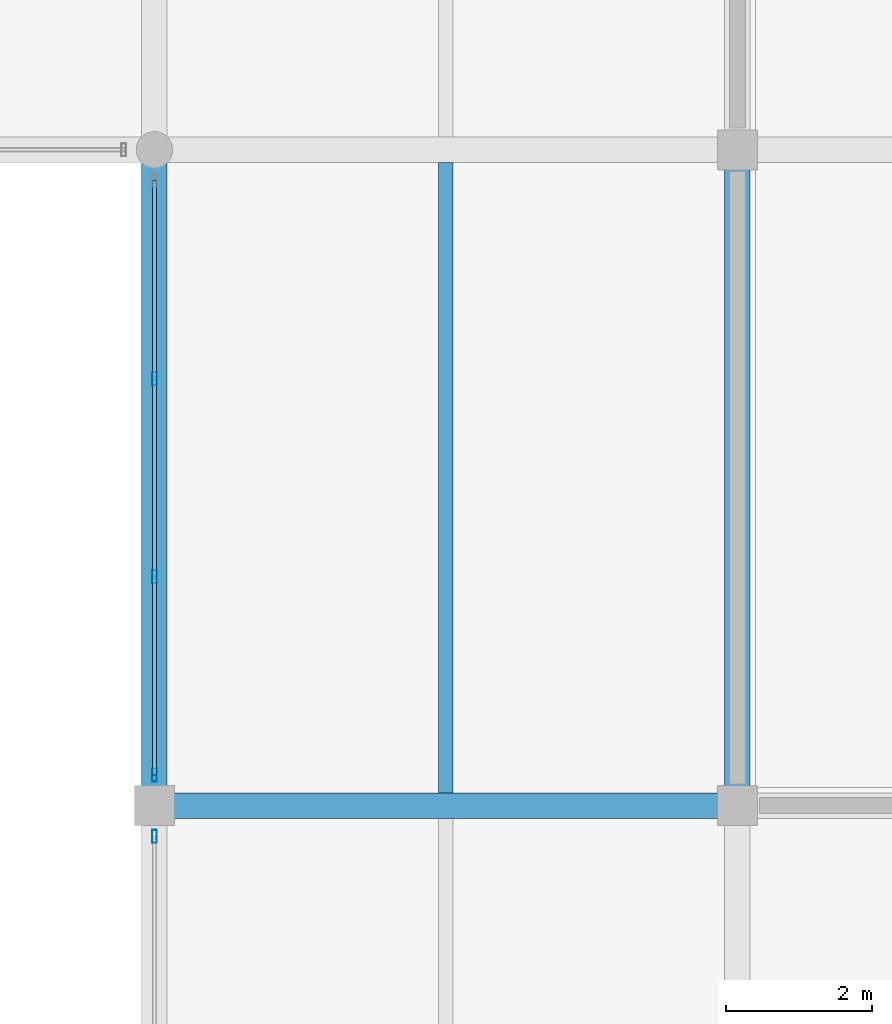
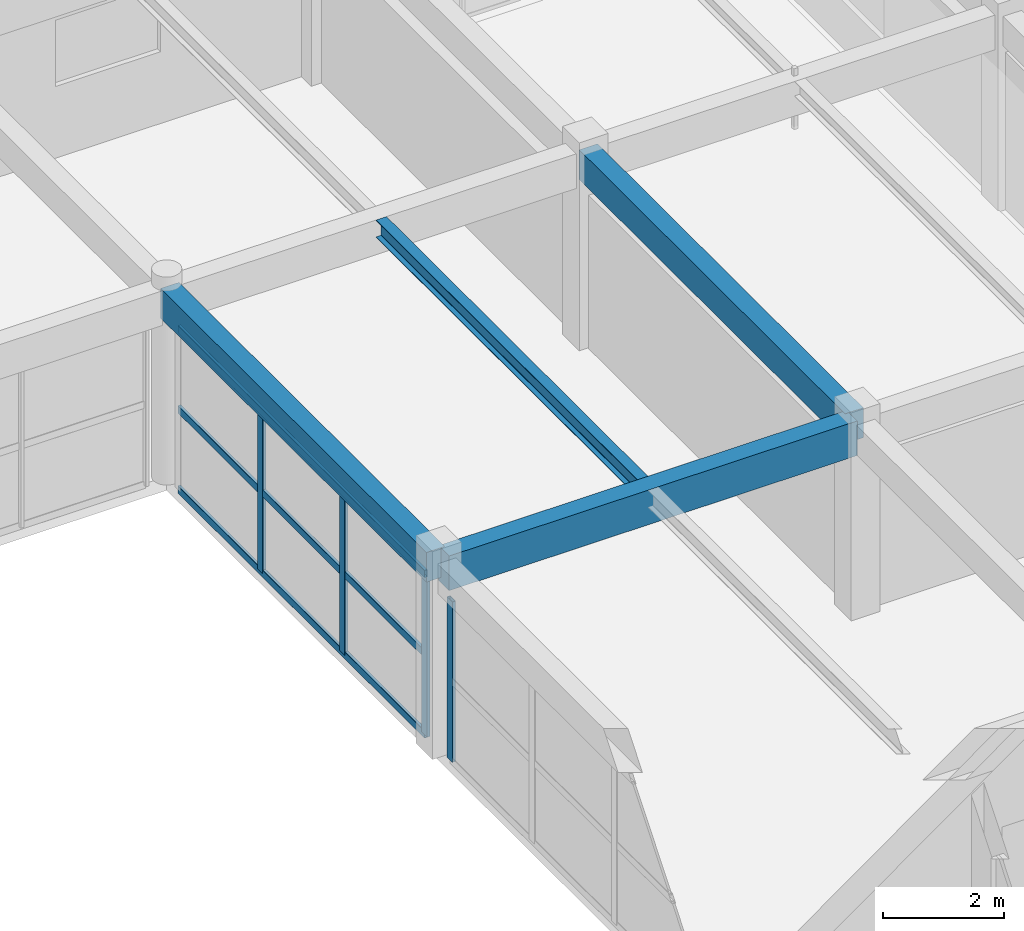
# One storey, part 21 of 63: 7 members, 4 beams, 2 elements without a shape of their own.
"""IFC4 building model written with IfcOpenShell, lengths in metres."""

from ifc_helpers import new_model, si_unit, direction, frame, origin, origin_2d, place, context, subcontext, project, spatial, rectangle, hollow_rectangle, i_section, extrude, material, material_profile, profile_set, type_object, element, aggregate, save


model = new_model("IFC4")

# Units and contexts
model_context = context("Model", 3, precision=1e-05, world=origin(), true_north=direction((0.0, 1.0)))
body_context = subcontext(model_context, "Body", "Model", "MODEL_VIEW")
ifc_project = project(units=[si_unit("LENGTHUNIT", "METRE"), si_unit("AREAUNIT", "SQUARE_METRE"), si_unit("VOLUMEUNIT", "CUBIC_METRE"), si_unit("PLANEANGLEUNIT", "RADIAN"), si_unit("MASSUNIT", "GRAM", prefix="KILO")], contexts=[model_context])

# Site, building, storey
site_placement = place(None, origin())
site = spatial("IfcSite", under=ifc_project, at=site_placement, CompositionType="ELEMENT")
building_placement = place(site_placement, origin())
building = spatial("IfcBuilding", under=site, at=building_placement, Name="Varnabhumi Central Station", CompositionType="ELEMENT")
storey_placement = place(building_placement, frame((0.0, 0.0, 20.39990234375)))
storey = spatial("IfcBuildingStorey", under=building, at=storey_placement, Name="L04", CompositionType="ELEMENT", Elevation=20.39990234375)

# Beams
ifc_material_1 = material(Name="Concrete M40", Category="concrete")
ifc_material_profile_1 = material_profile(ifc_material_1, rectangle(XDim=0.35009765625, YDim=0.60009765625, at=origin_2d()), Name="Concrete M40", Category="concrete")
ifc_profile_set_1 = profile_set([ifc_material_profile_1], Name="Concrete M40")
beam_type_1 = type_object("IfcBeamType", Name="BM-RC-350x600", PredefinedType="BEAM", material=ifc_profile_set_1)
for number, where, z_axis, x_axis, name in (
    (1, (144.0, 18.10009765625, 3.6201171875), (0.0, 1.0, 0.0), (-1.0, 0.0, 0.0), "Beam L04-19:C-D"),
    (2, (152.0, 18.10009765625, 3.6201171875), (0.0, 1.0, 0.0), (-1.0, 0.0, 0.0), "Beam L04-20:C-D"),
):
    element("IfcBeam", number, at=place(storey_placement, frame(where, z_axis=z_axis, x_axis=x_axis)), inside=storey, type_object=beam_type_1, Name=name, PredefinedType="BEAM", context=body_context, shape_type="SweptSolid", body=[
        extrude(rectangle(XDim=0.35009765625, YDim=0.60009765625, at=origin_2d()), origin(), (0.0, 0.0, 1.0), 8.7998046875),
    ])
ifc_material_profile_2 = material_profile(ifc_material_1, rectangle(XDim=0.35009765625, YDim=0.699951171875, at=origin_2d()), Name="Concrete M40", Category="concrete")
ifc_profile_set_2 = profile_set([ifc_material_profile_2], Name="Concrete M40")
beam_type_2 = type_object("IfcBeamType", Name="BM-RC-350x700", PredefinedType="BEAM", material=ifc_profile_set_2)
beam_1_placement = place(storey_placement, frame((144.10009765625, 18.0, 3.570068359375), z_axis=(1.0, 0.0, 0.0), x_axis=(0.0, 1.0, 0.0)))
element("IfcBeam", 3, at=beam_1_placement, inside=storey, type_object=beam_type_2, Name="Beam L04-C:19-20", PredefinedType="BEAM", context=body_context, shape_type="SweptSolid", body=[
    extrude(rectangle(XDim=0.35009765625, YDim=0.699951171875, at=origin_2d()), origin(), (0.0, 0.0, 1.0), 7.7998046875),
])
ifc_material_2 = material(Name="Structural steel E350", Category="steel")
ifc_material_profile_3 = material_profile(ifc_material_2, i_section(OverallWidth=0.199951171875, OverallDepth=0.35009765625, WebThickness=0.008056640625, FlangeThickness=0.011474609375, FilletRadius=0.011962890625, at=origin_2d()), Name="Structural steel E350", Category="steel")
ifc_profile_set_3 = profile_set([ifc_material_profile_3], Name="Structural steel E350")
beam_type_3 = type_object("IfcBeamType", Name="BM-STL-ISWB350", PredefinedType="JOIST", material=ifc_profile_set_3)
beam_2_placement = place(storey_placement, frame((148.0, 18.175048828125, 3.7451171875), z_axis=(0.0, 1.0, 0.0), x_axis=(-1.0, 0.0, 0.0)))
element("IfcBeam", 4, at=beam_2_placement, inside=storey, type_object=beam_type_3, Name="Secondary Joist L04-19/20:C-D", PredefinedType="JOIST", context=body_context, shape_type="SweptSolid", body=[
    extrude(i_section(OverallWidth=0.199951171875, OverallDepth=0.35009765625, WebThickness=0.008056640625, FlangeThickness=0.011474609375, FilletRadius=0.011962890625, at=origin_2d()), origin(), (0.0, 0.0, 1.0), 8.64990234375),
])

# Curtain wall, member
ifc_material_3 = material(Name="Anodised aluminium 6063-T6", Category="aluminium")
curtain_wall_type = type_object("IfcCurtainWallType", Name="CW-PATIO-LOGGIA-L3", PredefinedType="NOTDEFINED", material=ifc_material_3)
curtain_wall_1_placement = place(storey_placement, origin())
curtain_wall_1 = element("IfcCurtainWall", 5, at=curtain_wall_1_placement, inside=storey, type_object=curtain_wall_type, Name="Curtain Wall CW-SP4W1", PredefinedType="NOTDEFINED")
ifc_material_profile_4 = material_profile(ifc_material_3, hollow_rectangle(XDim=0.06494140625, YDim=0.179931640625, WallThickness=0.00390625, InnerFilletRadius=0.001953125, OuterFilletRadius=0.006103515625, at=origin_2d()), Name="Anodised aluminium 6063-T6", Category="aluminium")
ifc_profile_set_4 = profile_set([ifc_material_profile_4], Name="Anodised aluminium 6063-T6")
member_type_1 = type_object("IfcMemberType", Name="CW-MUL-180", PredefinedType="MULLION", material=ifc_profile_set_4)
member_1_placement = place(storey_placement, frame((144.0, 17.580078125, 0.0), z_axis=(0.0, 0.0, 1.0), x_axis=(1.0, 0.0, 0.0)))
member_1 = element("IfcMember", 6, at=member_1_placement, type_object=member_type_1, Name="Curtain Wall Mullion CW-SP4W1-M4", PredefinedType="MULLION", context=body_context, shape_type="SweptSolid", body=[
    extrude(hollow_rectangle(XDim=0.06494140625, YDim=0.179931640625, WallThickness=0.00390625, InnerFilletRadius=0.001953125, OuterFilletRadius=0.006103515625, at=origin_2d()), origin(), (0.0, 0.0, 1.0), 3.239990234375),
])
aggregate(curtain_wall_1, [member_1])

# Curtain wall, members
curtain_wall_2_placement = place(storey_placement, origin())
curtain_wall_2 = element("IfcCurtainWall", 7, at=curtain_wall_2_placement, inside=storey, type_object=curtain_wall_type, Name="Curtain Wall CW-SP4W2", PredefinedType="NOTDEFINED")
member_2_placement = place(storey_placement, frame((144.0, 18.419921875, 0.0), z_axis=(0.0, 0.0, 1.0), x_axis=(1.0, 0.0, 0.0)))
member_2 = element("IfcMember", 8, at=member_2_placement, type_object=member_type_1, Name="Curtain Wall Mullion CW-SP4W2-M1", PredefinedType="MULLION", context=body_context, shape_type="SweptSolid", body=[
    extrude(hollow_rectangle(XDim=0.06494140625, YDim=0.179931640625, WallThickness=0.00390625, InnerFilletRadius=0.001953125, OuterFilletRadius=0.006103515625, at=origin_2d()), origin(), (0.0, 0.0, 1.0), 3.239990234375),
])
member_3_placement = place(storey_placement, frame((144.0, 21.139892578125, 0.0), z_axis=(0.0, 0.0, 1.0), x_axis=(1.0, 0.0, 0.0)))
member_3 = element("IfcMember", 9, at=member_3_placement, type_object=member_type_1, Name="Curtain Wall Mullion CW-SP4W2-M2", PredefinedType="MULLION", context=body_context, shape_type="SweptSolid", body=[
    extrude(hollow_rectangle(XDim=0.06494140625, YDim=0.179931640625, WallThickness=0.00390625, InnerFilletRadius=0.001953125, OuterFilletRadius=0.006103515625, at=origin_2d()), origin(), (0.0, 0.0, 1.0), 3.239990234375),
])
member_4_placement = place(storey_placement, frame((144.0, 23.860107421875, 0.0), z_axis=(0.0, 0.0, 1.0), x_axis=(1.0, 0.0, 0.0)))
member_4 = element("IfcMember", 10, at=member_4_placement, type_object=member_type_1, Name="Curtain Wall Mullion CW-SP4W2-M3", PredefinedType="MULLION", context=body_context, shape_type="SweptSolid", body=[
    extrude(hollow_rectangle(XDim=0.06494140625, YDim=0.179931640625, WallThickness=0.00390625, InnerFilletRadius=0.001953125, OuterFilletRadius=0.006103515625, at=origin_2d()), origin(), (0.0, 0.0, 1.0), 3.239990234375),
])
ifc_material_profile_5 = material_profile(ifc_material_3, hollow_rectangle(XDim=0.06005859375, YDim=0.14990234375, WallThickness=0.00390625, InnerFilletRadius=0.001953125, OuterFilletRadius=0.006103515625, at=origin_2d()), Name="Anodised aluminium 6063-T6", Category="aluminium")
ifc_profile_set_5 = profile_set([ifc_material_profile_5], Name="Anodised aluminium 6063-T6")
member_type_2 = type_object("IfcMemberType", Name="CW-TR-150", PredefinedType="USERDEFINED", material=ifc_profile_set_5)
member_5_placement = place(storey_placement, frame((144.0, 18.419921875, 0.0), z_axis=(0.0, 1.0, 0.0), x_axis=(-1.0, 0.0, 0.0)))
member_5 = element("IfcMember", 11, at=member_5_placement, type_object=member_type_2, Name="Curtain Wall Transom CW-SP4W2-T1", ObjectType="TRANSOM", PredefinedType="USERDEFINED", context=body_context, shape_type="SweptSolid", body=[
    extrude(hollow_rectangle(XDim=0.06005859375, YDim=0.14990234375, WallThickness=0.00390625, InnerFilletRadius=0.001953125, OuterFilletRadius=0.006103515625, at=origin_2d()), origin(), (0.0, 0.0, 1.0), 8.16015625),
])
member_6_placement = place(storey_placement, frame((144.0, 18.419921875, 1.6201171875), z_axis=(0.0, 1.0, 0.0), x_axis=(-1.0, 0.0, 0.0)))
member_6 = element("IfcMember", 12, at=member_6_placement, type_object=member_type_2, Name="Curtain Wall Transom CW-SP4W2-T2", ObjectType="TRANSOM", PredefinedType="USERDEFINED", context=body_context, shape_type="SweptSolid", body=[
    extrude(hollow_rectangle(XDim=0.06005859375, YDim=0.14990234375, WallThickness=0.00390625, InnerFilletRadius=0.001953125, OuterFilletRadius=0.006103515625, at=origin_2d()), origin(), (0.0, 0.0, 1.0), 8.16015625),
])
member_7_placement = place(storey_placement, frame((144.0, 18.419921875, 3.239990234375), z_axis=(0.0, 1.0, 0.0), x_axis=(-1.0, 0.0, 0.0)))
member_7 = element("IfcMember", 13, at=member_7_placement, type_object=member_type_2, Name="Curtain Wall Transom CW-SP4W2-T3", ObjectType="TRANSOM", PredefinedType="USERDEFINED", context=body_context, shape_type="SweptSolid", body=[
    extrude(hollow_rectangle(XDim=0.06005859375, YDim=0.14990234375, WallThickness=0.00390625, InnerFilletRadius=0.001953125, OuterFilletRadius=0.006103515625, at=origin_2d()), origin(), (0.0, 0.0, 1.0), 8.16015625),
])
aggregate(curtain_wall_2, [member_2, member_3, member_4, member_5, member_6, member_7])

save(model, "model.ifc")
